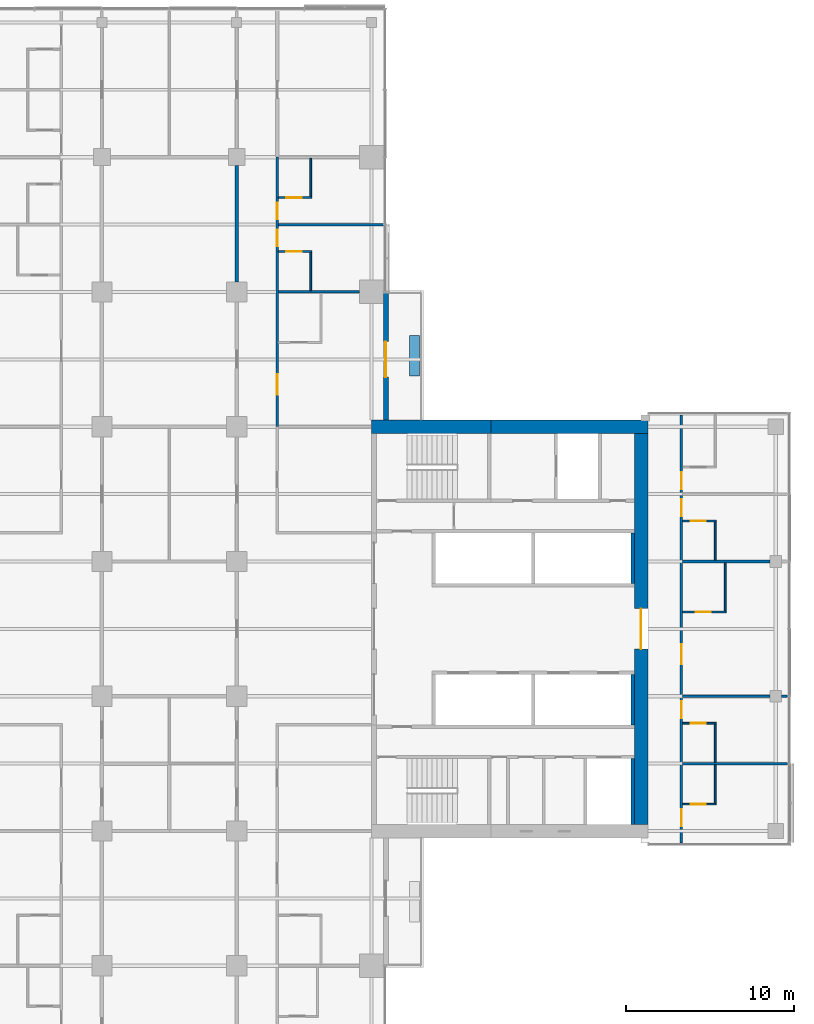
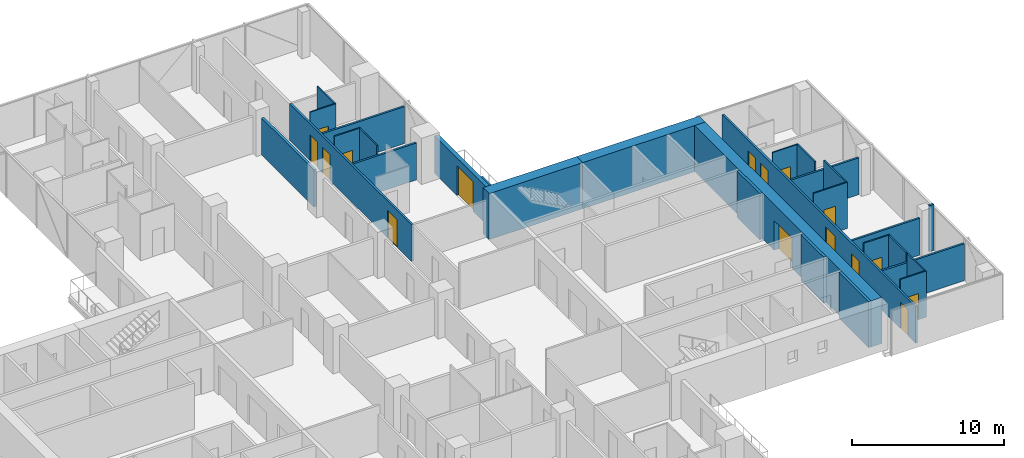
# One storey, part 21 of 27: 29 walls, 16 doors, 16 openings.
"""IFC4 building model written with IfcOpenShell, lengths in metres."""

from ifc_helpers import new_model, si_unit, direction, frame, frame_2d, origin, place, context, subcontext, project, spatial, rectangle, extrude, material, layer, layer_set, constituent, constituent_set, type_object, element, fill, save


model = new_model("IFC4")

# Units and contexts
model_context = context("Model", 3, precision=1e-05, world=origin(), true_north=direction((0.0, 1.0)))
body_context = subcontext(model_context, "Body", "Model", "MODEL_VIEW")
ifc_project = project(units=[si_unit("LENGTHUNIT", "METRE"), si_unit("AREAUNIT", "SQUARE_METRE"), si_unit("VOLUMEUNIT", "CUBIC_METRE"), si_unit("PLANEANGLEUNIT", "RADIAN"), si_unit("MASSUNIT", "GRAM", prefix="KILO")], contexts=[model_context])

# Site, building, storey
site_placement = place(None, origin())
site = spatial("IfcSite", under=ifc_project, at=site_placement, CompositionType="ELEMENT")
building_placement = place(site_placement, origin())
building = spatial("IfcBuilding", under=site, at=building_placement, Name="Crosswind Convention Tower", CompositionType="ELEMENT")
storey_placement = place(building_placement, frame((0.0, 0.0, 68.300048828125)))
storey = spatial("IfcBuildingStorey", under=building, at=storey_placement, Name="L11", CompositionType="ELEMENT", Elevation=68.300048828125)

# Wall, opening, door
ifc_material_1 = material(Name="Concrete C60/75", Category="concrete")
ifc_layer_1 = layer(ifc_material_1, 0.800048828125)
ifc_layer_set_1 = layer_set([ifc_layer_1], Name="Concrete C60/75")
wall_type_1 = type_object("IfcWallType", Name="Concrete core wall 800", PredefinedType="SHEAR", material=ifc_layer_set_1)
wall_1_placement = place(storey_placement, frame((153.0, 88.39990234375, 0.0), z_axis=(0.0, 0.0, 1.0), x_axis=(0.0, 1.0, 0.0)))
wall_1 = element("IfcWall", 1, at=wall_1_placement, inside=storey, type_object=wall_type_1, Name="Wall O E L11", PredefinedType="SHEAR", context=body_context, shape_type="SweptSolid", body=[
    extrude(rectangle(XDim=23.2001953125, YDim=0.800048828125, at=frame_2d((11.60009765625, 0.0))), origin(), (0.0, 0.0, 1.0), 3.699951171875),
])
opening_1_placement = place(wall_1_placement, frame((10.39990234375, 0.0, 0.0)))
opening_1 = element("IfcOpeningElement", 2, at=opening_1_placement, cuts=wall_1, Name="Opening D100", PredefinedType="OPENING", context=body_context, shape_type="SweptSolid", body=[
    extrude(rectangle(XDim=2.39990234375, YDim=2.39990234375, at=frame_2d((1.199951171875, 1.199951171875))), frame((0.0, 0.409912109375, 0.0), z_axis=(0.0, -1.0, 0.0), x_axis=(1.0, 0.0, 0.0)), (0.0, 0.0, 1.0), 0.820068359375),
])
ifc_material_2 = material(Name="Steel fire door with glazed vision panels", Category="steel")
door_type_1 = type_object("IfcDoorType", Name="Fire-rated double door 2400x2400", OperationType="DOUBLE_DOOR_SINGLE_SWING", PredefinedType="DOOR", material=ifc_material_2)
door_1_placement = place(opening_1_placement, origin())
door_1 = element("IfcDoor", 3, at=door_1_placement, inside=storey, type_object=door_type_1, Name="Lobby outer door L11", ObjectType="D100", OperationType="DOUBLE_DOOR_SINGLE_SWING", OverallHeight=2.39990234375, OverallWidth=2.39990234375, PredefinedType="DOOR", context=body_context, shape_type="SweptSolid", body=[
    extrude(rectangle(XDim=2.39990234375, YDim=2.39990234375, at=frame_2d((1.199951171875, 1.199951171875))), frame((0.0, 0.02490234375, 0.0), z_axis=(0.0, -1.0, 0.0), x_axis=(1.0, 0.0, 0.0)), (0.0, 0.0, 1.0), 0.050048828125),
])
fill(opening_1, door_1)

# Walls
ifc_material_3 = material(Name="Concrete C50/60", Category="concrete")
ifc_layer_2 = layer(ifc_material_3, 0.199951171875)
ifc_layer_set_2 = layer_set([ifc_layer_2], Name="Concrete C50/60")
wall_type_2 = type_object("IfcWallType", Name="Concrete shaft and stair wall 200", PredefinedType="SHEAR", material=ifc_layer_set_2)
for number, where, z_axis, x_axis, name in (
    (4, (152.5, 102.699951171875, 0.0), (0.0, 0.0, 1.0), (0.0, 1.0, 0.0), "Wall RPEAST E L11"),
    (5, (152.5, 94.300048828125, 0.0), (0.0, 0.0, 1.0), (0.0, 1.0, 0.0), "Wall RMEAST E L11"),
):
    element("IfcWall", number, at=place(storey_placement, frame(where, z_axis=z_axis, x_axis=x_axis)), inside=storey, type_object=wall_type_2, Name=name, PredefinedType="SHEAR", context=body_context, shape_type="SweptSolid", body=[
        extrude(rectangle(XDim=3.0, YDim=0.199951171875, at=frame_2d((1.5, 0.0))), origin(), (0.0, 0.0, 1.0), 3.699951171875),
    ])
wall_2_placement = place(storey_placement, frame((152.5, 88.39990234375, 0.0), z_axis=(0.0, 0.0, 1.0), x_axis=(0.0, 1.0, 0.0)))
element("IfcWall", 6, at=wall_2_placement, inside=storey, type_object=wall_type_2, Name="Wall MFSE E L11", PredefinedType="SHEAR", context=body_context, shape_type="SweptSolid", body=[
    extrude(rectangle(XDim=3.900146484375, YDim=0.199951171875, at=frame_2d((1.9501953125, 0.0))), origin(), (0.0, 0.0, 1.0), 3.699951171875),
])
ifc_material_4 = material(Name="Acoustic plasterboard partition", Category="gypsum")
ifc_layer_3 = layer(ifc_material_4, 0.14990234375)
ifc_layer_set_3 = layer_set([ifc_layer_3], Name="GUEST ROOM WALL 150")
wall_type_3 = type_object("IfcWallType", Name="GUEST ROOM WALL 150", PredefinedType="PARTITIONING", material=ifc_layer_set_3)
wall_3_placement = place(storey_placement, frame((155.47509765625, 92.0, 0.0), z_axis=(0.0, 0.0, 1.0), x_axis=(1.0, 0.0, 0.0)))
element("IfcWall", 7, at=wall_3_placement, inside=storey, type_object=wall_type_3, Name="Guest Room Wall 24", PredefinedType="PARTITIONING", context=body_context, shape_type="SweptSolid", body=[
    extrude(rectangle(XDim=6.224853515625, YDim=0.14990234375, at=frame_2d((3.1123046875, 0.0))), origin(), (0.0, 0.0, 1.0), 2.962646484375),
])
wall_4_placement = place(storey_placement, frame((155.47509765625, 96.0, 0.0), z_axis=(0.0, 0.0, 1.0), x_axis=(1.0, 0.0, 0.0)))
element("IfcWall", 8, at=wall_4_placement, inside=storey, type_object=wall_type_3, Name="Guest Room Wall 32", PredefinedType="PARTITIONING", context=body_context, shape_type="SweptSolid", body=[
    extrude(rectangle(XDim=5.1748046875, YDim=0.14990234375, at=frame_2d((2.58740234375, 0.0))), origin(), (0.0, 0.0, 1.0), 2.956298828125),
])
wall_5_placement = place(storey_placement, frame((161.35009765625, 96.0, 0.0), z_axis=(0.0, 0.0, 1.0), x_axis=(1.0, 0.0, 0.0)))
element("IfcWall", 9, at=wall_5_placement, inside=storey, type_object=wall_type_3, Name="Guest Room Wall 33", PredefinedType="PARTITIONING", context=body_context, shape_type="SweptSolid", body=[
    extrude(rectangle(XDim=0.349853515625, YDim=0.14990234375, at=frame_2d((0.1748046875, 0.0))), origin(), (0.0, 0.0, 1.0), 3.699951171875),
])
wall_6_placement = place(storey_placement, frame((155.47509765625, 104.0, 0.0), z_axis=(0.0, 0.0, 1.0), x_axis=(1.0, 0.0, 0.0)))
element("IfcWall", 10, at=wall_6_placement, inside=storey, type_object=wall_type_3, Name="Guest Room Wall 41", PredefinedType="PARTITIONING", context=body_context, shape_type="SweptSolid", body=[
    extrude(rectangle(XDim=5.1748046875, YDim=0.14990234375, at=frame_2d((2.58740234375, 0.0))), origin(), (0.0, 0.0, 1.0), 2.956298828125),
])
wall_7_placement = place(storey_placement, frame((131.47509765625, 120.0, 0.0), z_axis=(0.0, 0.0, 1.0), x_axis=(1.0, 0.0, 0.0)))
element("IfcWall", 11, at=wall_7_placement, inside=storey, type_object=wall_type_3, Name="Guest Room Wall 55", PredefinedType="PARTITIONING", context=body_context, shape_type="SweptSolid", body=[
    extrude(rectangle(XDim=4.824951171875, YDim=0.14990234375, at=frame_2d((2.41259765625, 0.0))), origin(), (0.0, 0.0, 1.0), 2.959716796875),
])
wall_8_placement = place(storey_placement, frame((131.47509765625, 124.0, 0.0), z_axis=(0.0, 0.0, 1.0), x_axis=(1.0, 0.0, 0.0)))
element("IfcWall", 12, at=wall_8_placement, inside=storey, type_object=wall_type_3, Name="Guest Room Wall 59", PredefinedType="PARTITIONING", context=body_context, shape_type="SweptSolid", body=[
    extrude(rectangle(XDim=6.224853515625, YDim=0.14990234375, at=frame_2d((3.1123046875, 0.0))), origin(), (0.0, 0.0, 1.0), 2.962646484375),
])

# Wall, openings, doors
wall_9_placement = place(storey_placement, frame((131.39990234375, 112.0, 0.0), z_axis=(0.0, 0.0, 1.0), x_axis=(0.0, 1.0, 0.0)))
wall_9 = element("IfcWall", 13, at=wall_9_placement, inside=storey, type_object=wall_type_3, Name="Guest Room Wall 118", PredefinedType="PARTITIONING", context=body_context, shape_type="SweptSolid", body=[
    extrude(rectangle(XDim=16.0, YDim=0.14990234375, at=frame_2d((8.0, 0.0))), origin(), (0.0, 0.0, 1.0), 2.956298828125),
])
opening_2_placement = place(wall_9_placement, frame((1.89990234375, 0.0, 0.0)))
opening_2 = element("IfcOpeningElement", 14, at=opening_2_placement, cuts=wall_9, Name="Opening 11.005", PredefinedType="OPENING", context=body_context, shape_type="SweptSolid", body=[
    extrude(rectangle(XDim=1.199951171875, YDim=2.199951171875, at=frame_2d((0.60009765625, 1.10009765625))), frame((0.0, 0.0849609375, 0.0), z_axis=(0.0, -1.0, 0.0), x_axis=(1.0, 0.0, 0.0)), (0.0, 0.0, 1.0), 0.169921875),
])
opening_3_placement = place(wall_9_placement, frame((10.699951171875, 0.0, 0.0)))
opening_3 = element("IfcOpeningElement", 15, at=opening_3_placement, cuts=wall_9, Name="Opening 11.007", PredefinedType="OPENING", context=body_context, shape_type="SweptSolid", body=[
    extrude(rectangle(XDim=1.0, YDim=2.10009765625, at=frame_2d((0.5, 1.050048828125))), frame((0.0, 0.0849609375, 0.0), z_axis=(0.0, -1.0, 0.0), x_axis=(1.0, 0.0, 0.0)), (0.0, 0.0, 1.0), 0.169921875),
])
opening_4_placement = place(wall_9_placement, frame((12.300048828125, 0.0, 0.0)))
opening_4 = element("IfcOpeningElement", 16, at=opening_4_placement, cuts=wall_9, Name="Opening 11.009", PredefinedType="OPENING", context=body_context, shape_type="SweptSolid", body=[
    extrude(rectangle(XDim=1.0, YDim=2.10009765625, at=frame_2d((0.5, 1.050048828125))), frame((0.0, 0.0849609375, 0.0), z_axis=(0.0, -1.0, 0.0), x_axis=(1.0, 0.0, 0.0)), (0.0, 0.0, 1.0), 0.169921875),
])
ifc_material_5 = material(Name="Timber fire door", Category="wood")
door_type_2 = type_object("IfcDoorType", Name="GUEST ROOM DOOR 1000X2100", OperationType="NOTDEFINED", PredefinedType="DOOR", material=ifc_material_5)
door_2_placement = place(opening_3_placement, frame((1.0, 0.0, 0.0), z_axis=(0.0, 0.0, 1.0), x_axis=(-1.0, 0.0, 0.0)))
door_2 = element("IfcDoor", 17, at=door_2_placement, inside=storey, type_object=door_type_2, Name="Door 11.007", ObjectType="D1", OperationType="SINGLE_SWING_LEFT", OverallHeight=2.10009765625, OverallWidth=1.0, PredefinedType="DOOR", context=body_context, shape_type="SweptSolid", body=[
    extrude(rectangle(XDim=1.0, YDim=2.10009765625, at=frame_2d((0.5, 1.050048828125))), frame((0.0, 0.02490234375, 0.0), z_axis=(0.0, -1.0, 0.0), x_axis=(1.0, 0.0, 0.0)), (0.0, 0.0, 1.0), 0.050048828125),
])
fill(opening_3, door_2)
door_3_placement = place(opening_4_placement, frame((1.0, 0.0, 0.0), z_axis=(0.0, 0.0, 1.0), x_axis=(-1.0, 0.0, 0.0)))
door_3 = element("IfcDoor", 18, at=door_3_placement, inside=storey, type_object=door_type_2, Name="Door 11.009", ObjectType="D1", OperationType="SINGLE_SWING_LEFT", OverallHeight=2.10009765625, OverallWidth=1.0, PredefinedType="DOOR", context=body_context, shape_type="SweptSolid", body=[
    extrude(rectangle(XDim=1.0, YDim=2.10009765625, at=frame_2d((0.5, 1.050048828125))), frame((0.0, 0.02490234375, 0.0), z_axis=(0.0, -1.0, 0.0), x_axis=(1.0, 0.0, 0.0)), (0.0, 0.0, 1.0), 0.050048828125),
])
fill(opening_4, door_3)
door_type_3 = type_object("IfcDoorType", Name="SUITE DOOR 1200X2200", OperationType="DOUBLE_DOOR_SINGLE_SWING", PredefinedType="DOOR", material=ifc_material_5)
door_4_placement = place(opening_2_placement, frame((1.199951171875, 0.0, 0.0), z_axis=(0.0, 0.0, 1.0), x_axis=(-1.0, 0.0, 0.0)))
door_4 = element("IfcDoor", 19, at=door_4_placement, inside=storey, type_object=door_type_3, Name="Door 11.005", ObjectType="D14", OperationType="DOUBLE_DOOR_SINGLE_SWING", OverallHeight=2.199951171875, OverallWidth=1.199951171875, PredefinedType="DOOR", context=body_context, shape_type="SweptSolid", body=[
    extrude(rectangle(XDim=1.199951171875, YDim=2.199951171875, at=frame_2d((0.60009765625, 1.10009765625))), frame((0.0, 0.02490234375, 0.0), z_axis=(0.0, -1.0, 0.0), x_axis=(1.0, 0.0, 0.0)), (0.0, 0.0, 1.0), 0.050048828125),
])
fill(opening_2, door_4)

wall_10_placement = place(storey_placement, frame((155.39990234375, 87.300048828125, 0.0), z_axis=(0.0, 0.0, 1.0), x_axis=(0.0, 1.0, 0.0)))
wall_10 = element("IfcWall", 20, at=wall_10_placement, inside=storey, type_object=wall_type_3, Name="Guest Room Wall 127", PredefinedType="PARTITIONING", context=body_context, shape_type="SweptSolid", body=[
    extrude(rectangle(XDim=25.39990234375, YDim=0.14990234375, at=frame_2d((12.699951171875, 0.0))), origin(), (0.0, 0.0, 1.0), 2.956298828125),
])
opening_5_placement = place(wall_10_placement, frame((1.0, 0.0, 0.0)))
opening_5 = element("IfcOpeningElement", 21, at=opening_5_placement, cuts=wall_10, Name="Opening 11.035", PredefinedType="OPENING", context=body_context, shape_type="SweptSolid", body=[
    extrude(rectangle(XDim=1.0, YDim=2.10009765625, at=frame_2d((0.5, 1.050048828125))), frame((0.0, 0.0849609375, 0.0), z_axis=(0.0, -1.0, 0.0), x_axis=(1.0, 0.0, 0.0)), (0.0, 0.0, 1.0), 0.169921875),
])
opening_6_placement = place(wall_10_placement, frame((7.39990234375, 0.0, 0.0)))
opening_6 = element("IfcOpeningElement", 22, at=opening_6_placement, cuts=wall_10, Name="Opening 11.037", PredefinedType="OPENING", context=body_context, shape_type="SweptSolid", body=[
    extrude(rectangle(XDim=1.0, YDim=2.10009765625, at=frame_2d((0.5, 1.050048828125))), frame((0.0, 0.0849609375, 0.0), z_axis=(0.0, -1.0, 0.0), x_axis=(1.0, 0.0, 0.0)), (0.0, 0.0, 1.0), 0.169921875),
])
opening_7_placement = place(wall_10_placement, frame((10.60009765625, 0.0, 0.0)))
opening_7 = element("IfcOpeningElement", 23, at=opening_7_placement, cuts=wall_10, Name="Opening 11.039", PredefinedType="OPENING", context=body_context, shape_type="SweptSolid", body=[
    extrude(rectangle(XDim=1.199951171875, YDim=2.199951171875, at=frame_2d((0.60009765625, 1.10009765625))), frame((0.0, 0.0849609375, 0.0), z_axis=(0.0, -1.0, 0.0), x_axis=(1.0, 0.0, 0.0)), (0.0, 0.0, 1.0), 0.169921875),
])
opening_8_placement = place(wall_10_placement, frame((19.39990234375, 0.0, 0.0)))
opening_8 = element("IfcOpeningElement", 24, at=opening_8_placement, cuts=wall_10, Name="Opening 11.041", PredefinedType="OPENING", context=body_context, shape_type="SweptSolid", body=[
    extrude(rectangle(XDim=1.0, YDim=2.10009765625, at=frame_2d((0.5, 1.050048828125))), frame((0.0, 0.0849609375, 0.0), z_axis=(0.0, -1.0, 0.0), x_axis=(1.0, 0.0, 0.0)), (0.0, 0.0, 1.0), 0.169921875),
])
opening_9_placement = place(wall_10_placement, frame((21.0, 0.0, 0.0)))
opening_9 = element("IfcOpeningElement", 25, at=opening_9_placement, cuts=wall_10, Name="Opening 11.043", PredefinedType="OPENING", context=body_context, shape_type="SweptSolid", body=[
    extrude(rectangle(XDim=1.0, YDim=2.10009765625, at=frame_2d((0.5, 1.050048828125))), frame((0.0, 0.0849609375, 0.0), z_axis=(0.0, -1.0, 0.0), x_axis=(1.0, 0.0, 0.0)), (0.0, 0.0, 1.0), 0.169921875),
])
door_5_placement = place(opening_5_placement, frame((1.0, 0.0, 0.0), z_axis=(0.0, 0.0, 1.0), x_axis=(-1.0, 0.0, 0.0)))
door_5 = element("IfcDoor", 26, at=door_5_placement, inside=storey, type_object=door_type_2, Name="Door 11.035", ObjectType="D1", OperationType="SINGLE_SWING_LEFT", OverallHeight=2.10009765625, OverallWidth=1.0, PredefinedType="DOOR", context=body_context, shape_type="SweptSolid", body=[
    extrude(rectangle(XDim=1.0, YDim=2.10009765625, at=frame_2d((0.5, 1.050048828125))), frame((0.0, 0.02490234375, 0.0), z_axis=(0.0, -1.0, 0.0), x_axis=(1.0, 0.0, 0.0)), (0.0, 0.0, 1.0), 0.050048828125),
])
fill(opening_5, door_5)
door_6_placement = place(opening_6_placement, frame((1.0, 0.0, 0.0), z_axis=(0.0, 0.0, 1.0), x_axis=(-1.0, 0.0, 0.0)))
door_6 = element("IfcDoor", 27, at=door_6_placement, inside=storey, type_object=door_type_2, Name="Door 11.037", ObjectType="D1", OperationType="SINGLE_SWING_LEFT", OverallHeight=2.10009765625, OverallWidth=1.0, PredefinedType="DOOR", context=body_context, shape_type="SweptSolid", body=[
    extrude(rectangle(XDim=1.0, YDim=2.10009765625, at=frame_2d((0.5, 1.050048828125))), frame((0.0, 0.02490234375, 0.0), z_axis=(0.0, -1.0, 0.0), x_axis=(1.0, 0.0, 0.0)), (0.0, 0.0, 1.0), 0.050048828125),
])
fill(opening_6, door_6)
door_7_placement = place(opening_8_placement, frame((1.0, 0.0, 0.0), z_axis=(0.0, 0.0, 1.0), x_axis=(-1.0, 0.0, 0.0)))
door_7 = element("IfcDoor", 28, at=door_7_placement, inside=storey, type_object=door_type_2, Name="Door 11.041", ObjectType="D1", OperationType="SINGLE_SWING_LEFT", OverallHeight=2.10009765625, OverallWidth=1.0, PredefinedType="DOOR", context=body_context, shape_type="SweptSolid", body=[
    extrude(rectangle(XDim=1.0, YDim=2.10009765625, at=frame_2d((0.5, 1.050048828125))), frame((0.0, 0.02490234375, 0.0), z_axis=(0.0, -1.0, 0.0), x_axis=(1.0, 0.0, 0.0)), (0.0, 0.0, 1.0), 0.050048828125),
])
fill(opening_8, door_7)
door_8_placement = place(opening_9_placement, frame((1.0, 0.0, 0.0), z_axis=(0.0, 0.0, 1.0), x_axis=(-1.0, 0.0, 0.0)))
door_8 = element("IfcDoor", 29, at=door_8_placement, inside=storey, type_object=door_type_2, Name="Door 11.043", ObjectType="D1", OperationType="SINGLE_SWING_LEFT", OverallHeight=2.10009765625, OverallWidth=1.0, PredefinedType="DOOR", context=body_context, shape_type="SweptSolid", body=[
    extrude(rectangle(XDim=1.0, YDim=2.10009765625, at=frame_2d((0.5, 1.050048828125))), frame((0.0, 0.02490234375, 0.0), z_axis=(0.0, -1.0, 0.0), x_axis=(1.0, 0.0, 0.0)), (0.0, 0.0, 1.0), 0.050048828125),
])
fill(opening_9, door_8)
door_9_placement = place(opening_7_placement, frame((1.199951171875, 0.0, 0.0), z_axis=(0.0, 0.0, 1.0), x_axis=(-1.0, 0.0, 0.0)))
door_9 = element("IfcDoor", 30, at=door_9_placement, inside=storey, type_object=door_type_3, Name="Door 11.039", ObjectType="D14", OperationType="DOUBLE_DOOR_SINGLE_SWING", OverallHeight=2.199951171875, OverallWidth=1.199951171875, PredefinedType="DOOR", context=body_context, shape_type="SweptSolid", body=[
    extrude(rectangle(XDim=1.199951171875, YDim=2.199951171875, at=frame_2d((0.60009765625, 1.10009765625))), frame((0.0, 0.02490234375, 0.0), z_axis=(0.0, -1.0, 0.0), x_axis=(1.0, 0.0, 0.0)), (0.0, 0.0, 1.0), 0.050048828125),
])
fill(opening_7, door_9)

# Walls
ifc_material_6 = material(Name="Double plasterboard partition", Category="gypsum")
ifc_layer_4 = layer(ifc_material_6, 0.199951171875)
ifc_layer_set_4 = layer_set([ifc_layer_4], Name="HALL WALL 200")
wall_type_4 = type_object("IfcWallType", Name="HALL WALL 200", PredefinedType="PARTITIONING", material=ifc_layer_set_4)
wall_11_placement = place(storey_placement, frame((129.0, 120.60009765625, 0.0), z_axis=(0.0, 0.0, 1.0), x_axis=(0.0, 1.0, 0.0)))
element("IfcWall", 31, at=wall_11_placement, inside=storey, type_object=wall_type_4, Name="Hall Wall 112", PredefinedType="PARTITIONING", context=body_context, shape_type="SweptSolid", body=[
    extrude(rectangle(XDim=6.89990234375, YDim=0.199951171875, at=frame_2d((3.449951171875, 0.0))), origin(), (0.0, 0.0, 1.0), 2.959716796875),
])
ifc_material_7 = material(Name="Concrete C30/37", Category="concrete")
ifc_layer_5 = layer(ifc_material_7, 0.60009765625)
ifc_layer_set_5 = layer_set([ifc_layer_5], Name="Concrete C30/37")
wall_type_5 = type_object("IfcWallType", Name="PLANTER BOX WALL 600", PredefinedType="SOLIDWALL", material=ifc_layer_set_5)
wall_12_placement = place(storey_placement, frame((139.550048828125, 115.0, 0.0), z_axis=(0.0, 0.0, 1.0), x_axis=(0.0, 1.0, 0.0)))
element("IfcWall", 32, at=wall_12_placement, inside=storey, type_object=wall_type_5, Name="PLANTER L11 N-E.1-1", PredefinedType="SOLIDWALL", context=body_context, shape_type="SweptSolid", body=[
    extrude(rectangle(XDim=2.39990234375, YDim=0.60009765625, at=frame_2d((1.199951171875, 0.0))), origin(), (0.0, 0.0, 1.0), 0.599853515625),
])

# Wall, opening, door
ifc_material_8 = material(Name="Terracotta rainscreen", Category="ceramic")
ifc_layer_6 = layer(ifc_material_8, 0.02001953125)
ifc_material_9 = material(Name="Mineral wool insulation", Category="insulation")
ifc_layer_7 = layer(ifc_material_9, 0.10009765625)
ifc_material_10 = material(Name="Concrete blockwork", Category="masonry")
ifc_layer_8 = layer(ifc_material_10, 0.179931640625)
ifc_layer_set_6 = layer_set([ifc_layer_6, ifc_layer_7, ifc_layer_8], Name="TERRACOTTA INFILL WALL 300")
wall_type_6 = type_object("IfcWallType", Name="TERRACOTTA INFILL WALL 300", PredefinedType="SOLIDWALL", material=ifc_layer_set_6)
wall_13_placement = place(storey_placement, frame((137.85009765625, 112.39990234375, 0.0), z_axis=(0.0, 0.0, 1.0), x_axis=(0.0, 1.0, 0.0)))
wall_13 = element("IfcWall", 33, at=wall_13_placement, inside=storey, type_object=wall_type_6, Name="Notch front wall L11 N-E.1-1", PredefinedType="SOLIDWALL", context=body_context, shape_type="SweptSolid", body=[
    extrude(rectangle(XDim=7.567626953125, YDim=0.300048828125, at=frame_2d((3.78369140625, 0.0))), origin(), (0.0, 0.0, 1.0), 3.013671875),
])
opening_10_placement = place(wall_13_placement, frame((2.550048828125, 0.0, 0.0)))
opening_10 = element("IfcOpeningElement", 34, at=opening_10_placement, cuts=wall_13, Name="Opening D141", PredefinedType="OPENING", context=body_context, shape_type="SweptSolid", body=[
    extrude(rectangle(XDim=2.10009765625, YDim=2.39990234375, at=frame_2d((1.050048828125, 1.199951171875))), frame((0.0, 0.159912109375, 0.0), z_axis=(0.0, -1.0, 0.0), x_axis=(1.0, 0.0, 0.0)), (0.0, 0.0, 1.0), 0.320068359375),
])
ifc_material_11 = material(Name="Aluminium glazed door", Category="aluminium")
door_type_4 = type_object("IfcDoorType", Name="BALCONY SLIDING DOOR 2100X2400", OperationType="SLIDING_TO_LEFT", PredefinedType="DOOR", material=ifc_material_11)
door_10_placement = place(opening_10_placement, frame((2.10009765625, 0.0, 0.0), z_axis=(0.0, 0.0, 1.0), x_axis=(-1.0, 0.0, 0.0)))
door_10 = element("IfcDoor", 35, at=door_10_placement, inside=storey, type_object=door_type_4, Name="D141 balcony door L11 N-E.1-1", ObjectType="D141", OperationType="SLIDING_TO_LEFT", OverallHeight=2.39990234375, OverallWidth=2.10009765625, PredefinedType="DOOR", context=body_context, shape_type="SweptSolid", body=[
    extrude(rectangle(XDim=2.10009765625, YDim=2.39990234375, at=frame_2d((1.050048828125, 1.199951171875))), frame((0.0, 0.02490234375, 0.0), z_axis=(0.0, -1.0, 0.0), x_axis=(1.0, 0.0, 0.0)), (0.0, 0.0, 1.0), 0.050048828125),
])
fill(opening_10, door_10)

# Walls
ifc_constituent_1 = constituent(ifc_material_1, Name="Structure")
ifc_constituent_2 = constituent(ifc_material_8, Name="Facing")
ifc_constituent_set = constituent_set(constituents=[ifc_constituent_1, ifc_constituent_2], Name="Concrete C60/75, Terracotta rainscreen")
wall_type_7 = type_object("IfcWallType", Name="Terracotta rainscreen on concrete core wall 800", PredefinedType="SHEAR", material=ifc_constituent_set)
wall_14_placement = place(storey_placement, frame((137.0, 112.0, 0.0), z_axis=(0.0, 0.0, 1.0), x_axis=(1.0, 0.0, 0.0)))
element("IfcWall", 36, at=wall_14_placement, inside=storey, type_object=wall_type_7, Name="Wall N1 E L11", PredefinedType="SHEAR", context=body_context, shape_type="SweptSolid", body=[
    extrude(rectangle(XDim=7.10009765625, YDim=0.800048828125, at=frame_2d((3.550048828125, 0.0))), origin(), (0.0, 0.0, 1.0), 3.699951171875),
])
wall_15_placement = place(storey_placement, frame((144.10009765625, 112.0, 0.0), z_axis=(0.0, 0.0, 1.0), x_axis=(1.0, 0.0, 0.0)))
element("IfcWall", 37, at=wall_15_placement, inside=storey, type_object=wall_type_7, Name="Wall N2 E L11", PredefinedType="SHEAR", context=body_context, shape_type="SweptSolid", body=[
    extrude(rectangle(XDim=9.2998046875, YDim=0.800048828125, at=frame_2d((4.64990234375, 0.0))), origin(), (0.0, 0.0, 1.0), 3.699951171875),
])

# Wall, opening, door
ifc_material_12 = material(Name="Water-resistant plasterboard partition", Category="gypsum")
ifc_layer_9 = layer(ifc_material_12, 0.10009765625)
ifc_layer_set_7 = layer_set([ifc_layer_9], Name="WET ROOM PARTITION 100")
wall_type_8 = type_object("IfcWallType", Name="WET ROOM PARTITION 100", PredefinedType="PLUMBINGWALL", material=ifc_layer_set_7)
wall_16_placement = place(storey_placement, frame((155.47509765625, 89.60009765625, 0.0), z_axis=(0.0, 0.0, 1.0), x_axis=(1.0, 0.0, 0.0)))
wall_16 = element("IfcWall", 38, at=wall_16_placement, inside=storey, type_object=wall_type_8, Name="Wet Room Partition 20", PredefinedType="PLUMBINGWALL", context=body_context, shape_type="SweptSolid", body=[
    extrude(rectangle(XDim=1.974853515625, YDim=0.10009765625, at=frame_2d((0.9873046875, 0.0))), origin(), (0.0, 0.0, 1.0), 3.699951171875),
])
opening_11_placement = place(wall_16_placement, frame((0.47509765625, 0.0, 0.0)))
opening_11 = element("IfcOpeningElement", 39, at=opening_11_placement, cuts=wall_16, Name="Opening 11.036", PredefinedType="OPENING", context=body_context, shape_type="SweptSolid", body=[
    extrude(rectangle(XDim=0.89990234375, YDim=2.10009765625, at=frame_2d((0.449951171875, 1.050048828125))), frame((0.0, 0.06005859375, 0.0), z_axis=(0.0, -1.0, 0.0), x_axis=(1.0, 0.0, 0.0)), (0.0, 0.0, 1.0), 0.1201171875),
])
ifc_material_13 = material(Name="Timber door", Category="wood")
door_type_5 = type_object("IfcDoorType", Name="EN-SUITE DOOR 900X2100", OperationType="NOTDEFINED", PredefinedType="DOOR", material=ifc_material_13)
door_11_placement = place(opening_11_placement, origin())
door_11 = element("IfcDoor", 40, at=door_11_placement, inside=storey, type_object=door_type_5, Name="Door 11.036", ObjectType="D2", OperationType="SINGLE_SWING_RIGHT", OverallHeight=2.10009765625, OverallWidth=0.89990234375, PredefinedType="DOOR", context=body_context, shape_type="SweptSolid", body=[
    extrude(rectangle(XDim=0.89990234375, YDim=2.10009765625, at=frame_2d((0.449951171875, 1.050048828125))), frame((0.0, 0.02490234375, 0.0), z_axis=(0.0, -1.0, 0.0), x_axis=(1.0, 0.0, 0.0)), (0.0, 0.0, 1.0), 0.050048828125),
])
fill(opening_11, door_11)

wall_17_placement = place(storey_placement, frame((155.47509765625, 94.39990234375, 0.0), z_axis=(0.0, 0.0, 1.0), x_axis=(1.0, 0.0, 0.0)))
wall_17 = element("IfcWall", 41, at=wall_17_placement, inside=storey, type_object=wall_type_8, Name="Wet Room Partition 28", PredefinedType="PLUMBINGWALL", context=body_context, shape_type="SweptSolid", body=[
    extrude(rectangle(XDim=1.974853515625, YDim=0.10009765625, at=frame_2d((0.9873046875, 0.0))), origin(), (0.0, 0.0, 1.0), 3.699951171875),
])
opening_12_placement = place(wall_17_placement, frame((0.47509765625, 0.0, 0.0)))
opening_12 = element("IfcOpeningElement", 42, at=opening_12_placement, cuts=wall_17, Name="Opening 11.038", PredefinedType="OPENING", context=body_context, shape_type="SweptSolid", body=[
    extrude(rectangle(XDim=0.89990234375, YDim=2.10009765625, at=frame_2d((0.449951171875, 1.050048828125))), frame((0.0, 0.06005859375, 0.0), z_axis=(0.0, -1.0, 0.0), x_axis=(1.0, 0.0, 0.0)), (0.0, 0.0, 1.0), 0.1201171875),
])
door_12_placement = place(opening_12_placement, frame((0.89990234375, 0.0, 0.0), z_axis=(0.0, 0.0, 1.0), x_axis=(-1.0, 0.0, 0.0)))
door_12 = element("IfcDoor", 43, at=door_12_placement, inside=storey, type_object=door_type_5, Name="Door 11.038", ObjectType="D2", OperationType="SINGLE_SWING_LEFT", OverallHeight=2.10009765625, OverallWidth=0.89990234375, PredefinedType="DOOR", context=body_context, shape_type="SweptSolid", body=[
    extrude(rectangle(XDim=0.89990234375, YDim=2.10009765625, at=frame_2d((0.449951171875, 1.050048828125))), frame((0.0, 0.02490234375, 0.0), z_axis=(0.0, -1.0, 0.0), x_axis=(1.0, 0.0, 0.0)), (0.0, 0.0, 1.0), 0.050048828125),
])
fill(opening_12, door_12)

wall_18_placement = place(storey_placement, frame((155.47509765625, 101.0, 0.0), z_axis=(0.0, 0.0, 1.0), x_axis=(1.0, 0.0, 0.0)))
wall_18 = element("IfcWall", 44, at=wall_18_placement, inside=storey, type_object=wall_type_8, Name="Wet Room Partition 36", PredefinedType="PLUMBINGWALL", context=body_context, shape_type="SweptSolid", body=[
    extrude(rectangle(XDim=2.574951171875, YDim=0.10009765625, at=frame_2d((1.28759765625, 0.0))), origin(), (0.0, 0.0, 1.0), 3.699951171875),
])
opening_13_placement = place(wall_18_placement, frame((0.77490234375, 0.0, 0.0)))
opening_13 = element("IfcOpeningElement", 45, at=opening_13_placement, cuts=wall_18, Name="Opening 11.040", PredefinedType="OPENING", context=body_context, shape_type="SweptSolid", body=[
    extrude(rectangle(XDim=0.89990234375, YDim=2.10009765625, at=frame_2d((0.449951171875, 1.050048828125))), frame((0.0, 0.06005859375, 0.0), z_axis=(0.0, -1.0, 0.0), x_axis=(1.0, 0.0, 0.0)), (0.0, 0.0, 1.0), 0.1201171875),
])
door_13_placement = place(opening_13_placement, origin())
door_13 = element("IfcDoor", 46, at=door_13_placement, inside=storey, type_object=door_type_5, Name="Door 11.040", ObjectType="D2", OperationType="SINGLE_SWING_RIGHT", OverallHeight=2.10009765625, OverallWidth=0.89990234375, PredefinedType="DOOR", context=body_context, shape_type="SweptSolid", body=[
    extrude(rectangle(XDim=0.89990234375, YDim=2.10009765625, at=frame_2d((0.449951171875, 1.050048828125))), frame((0.0, 0.02490234375, 0.0), z_axis=(0.0, -1.0, 0.0), x_axis=(1.0, 0.0, 0.0)), (0.0, 0.0, 1.0), 0.050048828125),
])
fill(opening_13, door_13)

wall_19_placement = place(storey_placement, frame((155.47509765625, 106.39990234375, 0.0), z_axis=(0.0, 0.0, 1.0), x_axis=(1.0, 0.0, 0.0)))
wall_19 = element("IfcWall", 47, at=wall_19_placement, inside=storey, type_object=wall_type_8, Name="Wet Room Partition 46", PredefinedType="PLUMBINGWALL", context=body_context, shape_type="SweptSolid", body=[
    extrude(rectangle(XDim=1.974853515625, YDim=0.10009765625, at=frame_2d((0.9873046875, 0.0))), origin(), (0.0, 0.0, 1.0), 3.699951171875),
])
opening_14_placement = place(wall_19_placement, frame((0.47509765625, 0.0, 0.0)))
opening_14 = element("IfcOpeningElement", 48, at=opening_14_placement, cuts=wall_19, Name="Opening 11.042", PredefinedType="OPENING", context=body_context, shape_type="SweptSolid", body=[
    extrude(rectangle(XDim=0.89990234375, YDim=2.10009765625, at=frame_2d((0.449951171875, 1.050048828125))), frame((0.0, 0.06005859375, 0.0), z_axis=(0.0, -1.0, 0.0), x_axis=(1.0, 0.0, 0.0)), (0.0, 0.0, 1.0), 0.1201171875),
])
door_14_placement = place(opening_14_placement, frame((0.89990234375, 0.0, 0.0), z_axis=(0.0, 0.0, 1.0), x_axis=(-1.0, 0.0, 0.0)))
door_14 = element("IfcDoor", 49, at=door_14_placement, inside=storey, type_object=door_type_5, Name="Door 11.042", ObjectType="D2", OperationType="SINGLE_SWING_LEFT", OverallHeight=2.10009765625, OverallWidth=0.89990234375, PredefinedType="DOOR", context=body_context, shape_type="SweptSolid", body=[
    extrude(rectangle(XDim=0.89990234375, YDim=2.10009765625, at=frame_2d((0.449951171875, 1.050048828125))), frame((0.0, 0.02490234375, 0.0), z_axis=(0.0, -1.0, 0.0), x_axis=(1.0, 0.0, 0.0)), (0.0, 0.0, 1.0), 0.050048828125),
])
fill(opening_14, door_14)

wall_20_placement = place(storey_placement, frame((131.47509765625, 122.39990234375, 0.0), z_axis=(0.0, 0.0, 1.0), x_axis=(1.0, 0.0, 0.0)))
wall_20 = element("IfcWall", 50, at=wall_20_placement, inside=storey, type_object=wall_type_8, Name="Wet Room Partition 57", PredefinedType="PLUMBINGWALL", context=body_context, shape_type="SweptSolid", body=[
    extrude(rectangle(XDim=1.974853515625, YDim=0.10009765625, at=frame_2d((0.9873046875, 0.0))), origin(), (0.0, 0.0, 1.0), 3.699951171875),
])
opening_15_placement = place(wall_20_placement, frame((0.47509765625, 0.0, 0.0)))
opening_15 = element("IfcOpeningElement", 51, at=opening_15_placement, cuts=wall_20, Name="Opening 11.008", PredefinedType="OPENING", context=body_context, shape_type="SweptSolid", body=[
    extrude(rectangle(XDim=0.89990234375, YDim=2.10009765625, at=frame_2d((0.449951171875, 1.050048828125))), frame((0.0, 0.06005859375, 0.0), z_axis=(0.0, -1.0, 0.0), x_axis=(1.0, 0.0, 0.0)), (0.0, 0.0, 1.0), 0.1201171875),
])
door_15_placement = place(opening_15_placement, frame((0.89990234375, 0.0, 0.0), z_axis=(0.0, 0.0, 1.0), x_axis=(-1.0, 0.0, 0.0)))
door_15 = element("IfcDoor", 52, at=door_15_placement, inside=storey, type_object=door_type_5, Name="Door 11.008", ObjectType="D2", OperationType="SINGLE_SWING_LEFT", OverallHeight=2.10009765625, OverallWidth=0.89990234375, PredefinedType="DOOR", context=body_context, shape_type="SweptSolid", body=[
    extrude(rectangle(XDim=0.89990234375, YDim=2.10009765625, at=frame_2d((0.449951171875, 1.050048828125))), frame((0.0, 0.02490234375, 0.0), z_axis=(0.0, -1.0, 0.0), x_axis=(1.0, 0.0, 0.0)), (0.0, 0.0, 1.0), 0.050048828125),
])
fill(opening_15, door_15)

wall_21_placement = place(storey_placement, frame((131.47509765625, 125.60009765625, 0.0), z_axis=(0.0, 0.0, 1.0), x_axis=(1.0, 0.0, 0.0)))
wall_21 = element("IfcWall", 53, at=wall_21_placement, inside=storey, type_object=wall_type_8, Name="Wet Room Partition 60", PredefinedType="PLUMBINGWALL", context=body_context, shape_type="SweptSolid", body=[
    extrude(rectangle(XDim=1.974853515625, YDim=0.10009765625, at=frame_2d((0.9873046875, 0.0))), origin(), (0.0, 0.0, 1.0), 3.699951171875),
])
opening_16_placement = place(wall_21_placement, frame((0.47509765625, 0.0, 0.0)))
opening_16 = element("IfcOpeningElement", 54, at=opening_16_placement, cuts=wall_21, Name="Opening 11.010", PredefinedType="OPENING", context=body_context, shape_type="SweptSolid", body=[
    extrude(rectangle(XDim=0.89990234375, YDim=2.10009765625, at=frame_2d((0.449951171875, 1.050048828125))), frame((0.0, 0.06005859375, 0.0), z_axis=(0.0, -1.0, 0.0), x_axis=(1.0, 0.0, 0.0)), (0.0, 0.0, 1.0), 0.1201171875),
])
door_16_placement = place(opening_16_placement, origin())
door_16 = element("IfcDoor", 55, at=door_16_placement, inside=storey, type_object=door_type_5, Name="Door 11.010", ObjectType="D2", OperationType="SINGLE_SWING_RIGHT", OverallHeight=2.10009765625, OverallWidth=0.89990234375, PredefinedType="DOOR", context=body_context, shape_type="SweptSolid", body=[
    extrude(rectangle(XDim=0.89990234375, YDim=2.10009765625, at=frame_2d((0.449951171875, 1.050048828125))), frame((0.0, 0.02490234375, 0.0), z_axis=(0.0, -1.0, 0.0), x_axis=(1.0, 0.0, 0.0)), (0.0, 0.0, 1.0), 0.050048828125),
])
fill(opening_16, door_16)

# Walls
for number, where, z_axis, x_axis, name in (
    (56, (133.39990234375, 120.074951171875, 0.0), (0.0, 0.0, 1.0), (0.0, 1.0, 0.0), "Wet Room Partition 122"),
    (57, (133.39990234375, 125.64990234375, 0.0), (0.0, 0.0, 1.0), (0.0, 1.0, 0.0), "Wet Room Partition 123"),
    (58, (157.39990234375, 89.64990234375, 0.0), (0.0, 0.0, 1.0), (0.0, 1.0, 0.0), "Wet Room Partition 128"),
    (59, (157.39990234375, 92.074951171875, 0.0), (0.0, 0.0, 1.0), (0.0, 1.0, 0.0), "Wet Room Partition 129"),
    (60, (157.39990234375, 104.074951171875, 0.0), (0.0, 0.0, 1.0), (0.0, 1.0, 0.0), "Wet Room Partition 130"),
):
    element("IfcWall", number, at=place(storey_placement, frame(where, z_axis=z_axis, x_axis=x_axis)), inside=storey, type_object=wall_type_8, Name=name, PredefinedType="PLUMBINGWALL", context=body_context, shape_type="SweptSolid", body=[
        extrude(rectangle(XDim=2.275146484375, YDim=0.10009765625, at=frame_2d((1.1376953125, 0.0))), origin(), (0.0, 0.0, 1.0), 3.699951171875),
    ])
wall_22_placement = place(storey_placement, frame((158.0, 101.050048828125, 0.0), z_axis=(0.0, 0.0, 1.0), x_axis=(0.0, 1.0, 0.0)))
element("IfcWall", 61, at=wall_22_placement, inside=storey, type_object=wall_type_8, Name="Wet Room Partition 132", PredefinedType="PLUMBINGWALL", context=body_context, shape_type="SweptSolid", body=[
    extrude(rectangle(XDim=2.875, YDim=0.10009765625, at=frame_2d((1.4375, 0.0))), origin(), (0.0, 0.0, 1.0), 3.699951171875),
])

save(model, "model.ifc")
